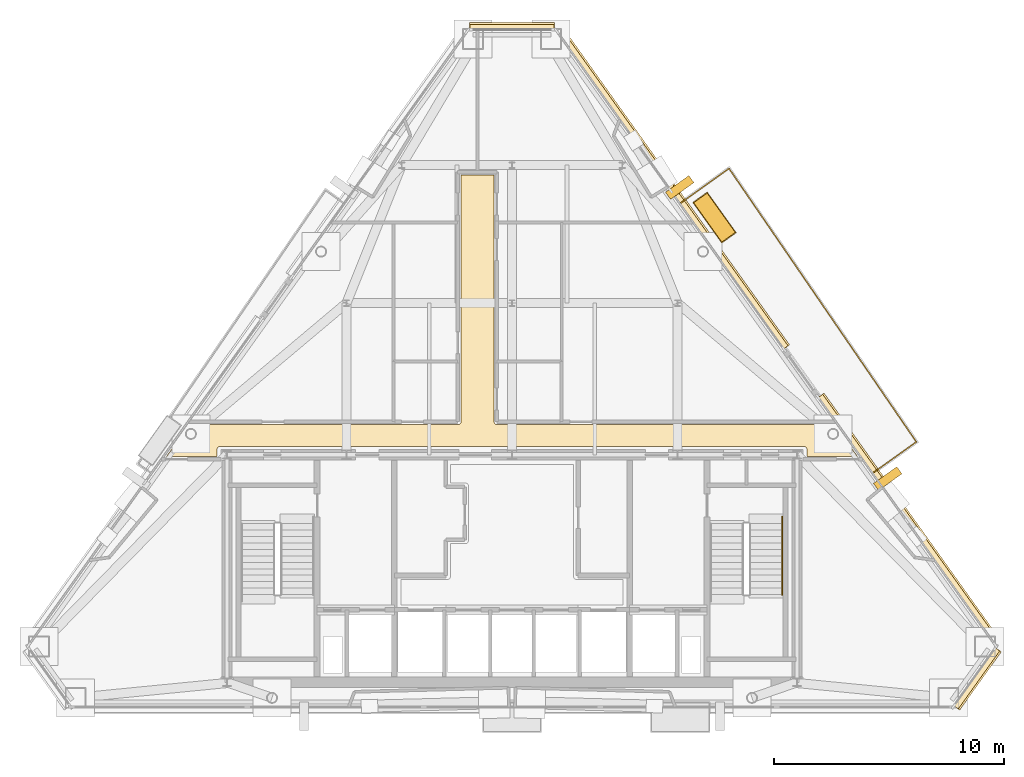
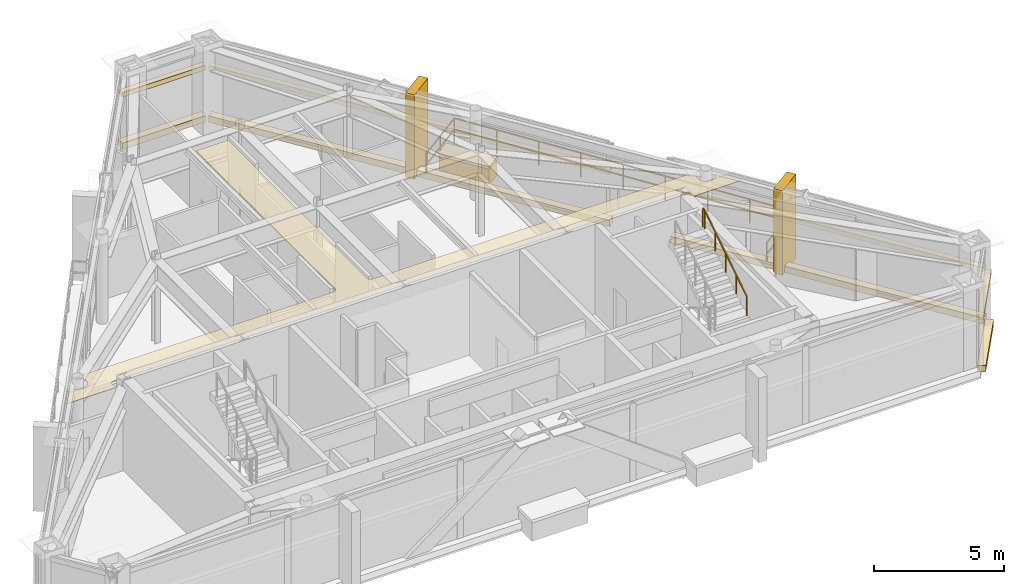
# One storey, part 10 of 10: 13 coverings, 2 railings.
"""IFC4 building model written with IfcOpenShell, lengths in metres."""

from ifc_helpers import new_model, si_unit, direction, frame, origin, origin_2d, place, context, subcontext, project, spatial, polyline, rectangle, outline, extrude, material, layer, layer_set, type_object, element, save


model = new_model("IFC4")

# Units and contexts
model_context = context("Model", 3, precision=1e-05, world=origin(), true_north=direction((0.0, 1.0)))
body_context = subcontext(model_context, "Body", "Model", "MODEL_VIEW")
ifc_project = project(units=[si_unit("LENGTHUNIT", "METRE"), si_unit("AREAUNIT", "SQUARE_METRE"), si_unit("VOLUMEUNIT", "CUBIC_METRE"), si_unit("PLANEANGLEUNIT", "RADIAN"), si_unit("MASSUNIT", "GRAM", prefix="KILO")], contexts=[model_context])

# Site, building, storey
site_placement = place(None, origin())
site = spatial("IfcSite", under=ifc_project, at=site_placement, CompositionType="ELEMENT")
building_placement = place(site_placement, origin())
building = spatial("IfcBuilding", under=site, at=building_placement, Name="Talgorran Terracotta Tower", CompositionType="ELEMENT")
storey_placement = place(building_placement, frame((0.0, 0.0, 289.199951171875)))
storey = spatial("IfcBuildingStorey", under=building, at=storey_placement, Name="L76", CompositionType="ELEMENT", Elevation=289.199951171875)

# Coverings
ifc_material_1 = material(Name="Kiln-Fired Terracotta Ochre Ceramic", Category="masonry")
ifc_layer_1 = layer(ifc_material_1, 0.179931640625, Name="COV_BAGUETTE_TERRACOTTA_SCREEN")
ifc_layer_set_1 = layer_set([ifc_layer_1], Name="Kiln-Fired Terracotta Ochre Ceramic")
covering_type_1 = type_object("IfcCoveringType", Name="COV_BAGUETTE_TERRACOTTA_SCREEN", PredefinedType="CLADDING", material=ifc_layer_set_1)
covering_1_placement = place(storey_placement, frame((20.2119140625, -13.916748046875, 2.41015625), z_axis=(0.0, 0.0, 1.0), x_axis=(0.581256971997, 0.813720057824, 0.0)))
element("IfcCovering", 1, at=covering_1_placement, inside=storey, type_object=covering_type_1, Name="L76 Terracotta Baguette Solar Screen Assembly F2", PredefinedType="CLADDING", context=body_context, shape_type="SweptSolid", body=[
    extrude(rectangle(XDim=3.093994140625, YDim=0.260009765625, at=origin_2d()), origin(), (0.0, 0.0, 1.0), 0.219970703125),
])
covering_2_placement = place(storey_placement, frame((17.24951171875, -7.02197265625, 2.41015625), z_axis=(0.0, 0.0, 1.0), x_axis=(-0.581242769814, 0.813730202548, 0.0)))
element("IfcCovering", 2, at=covering_2_placement, inside=storey, type_object=covering_type_1, Name="L76 Terracotta Baguette Solar Screen Assembly F40", PredefinedType="CLADDING", context=body_context, shape_type="SweptSolid", body=[
    extrude(rectangle(XDim=13.206298828125, YDim=0.260009765625, at=origin_2d()), origin(), (0.0, 0.0, 1.0), 0.219970703125),
])
covering_3_placement = place(storey_placement, frame((6.974609375, 7.362548828125, 2.41015625), z_axis=(0.0, 0.0, 1.0), x_axis=(-0.581242769814, 0.813730202548, 0.0)))
element("IfcCovering", 3, at=covering_3_placement, inside=storey, type_object=covering_type_1, Name="L76 Terracotta Baguette Solar Screen Assembly F41", PredefinedType="CLADDING", context=body_context, shape_type="SweptSolid", body=[
    extrude(rectangle(XDim=16.948486328125, YDim=0.260009765625, at=origin_2d()), origin(), (0.0, 0.0, 1.0), 0.219970703125),
])
covering_4_placement = place(storey_placement, frame((0.0, 14.389404296875, 2.41015625), z_axis=(0.0, 0.0, 1.0), x_axis=(-1.0, 0.0, 0.0)))
element("IfcCovering", 4, at=covering_4_placement, inside=storey, type_object=covering_type_1, Name="L76 Terracotta Baguette Solar Screen Assembly F4", PredefinedType="CLADDING", context=body_context, shape_type="SweptSolid", body=[
    extrude(rectangle(XDim=3.66748046875, YDim=0.260009765625, at=origin_2d()), origin(), (0.0, 0.0, 1.0), 0.219970703125),
])
ifc_material_2 = material(Name="Mineral Fibre Acoustic Tile")
ifc_layer_2 = layer(ifc_material_2, 0.02490234375, Name="COV_CEIL_ACOUSTIC")
ifc_layer_set_2 = layer_set([ifc_layer_2], Name="Mineral Fibre Acoustic Tile")
covering_type_2 = type_object("IfcCoveringType", Name="COV_CEIL_ACOUSTIC", PredefinedType="CEILING", material=ifc_layer_set_2)
covering_5_placement = place(storey_placement, frame((0.0, 0.0, 3.830078125)))
element("IfcCovering", 5, at=covering_5_placement, inside=storey, type_object=covering_type_2, Name="CEIL-L76-2", PredefinedType="CEILING", context=body_context, shape_type="SweptSolid", body=[
    extrude(outline(polyline([(-15.0283203125, -4.264892578125), (-14.383544921875, -3.362060546875), (-14.32958984375, -3.400390625), (-14.326904296875, -3.413818359375), (-14.32421875, -3.42529296875), (-14.3203125, -3.436279296875), (-14.315185546875, -3.447021484375), (-14.30908203125, -3.45703125), (-14.253173828125, -3.541015625), (-14.24609375, -3.55029296875), (-14.23828125, -3.55908203125), (-14.2294921875, -3.567138671875), (-14.219970703125, -3.57421875), (-14.135986328125, -3.630126953125), (-14.1259765625, -3.635986328125), (-14.115234375, -3.64111328125), (-14.104248046875, -3.64501953125), (-14.0927734375, -3.64794921875), (-13.993896484375, -3.667724609375), (-13.982421875, -3.66943359375), (-13.970458984375, -3.669921875), (-13.958740234375, -3.66943359375), (-13.947021484375, -3.667724609375), (-13.84814453125, -3.64794921875), (-13.8369140625, -3.64501953125), (-13.82568359375, -3.64111328125), (-13.815185546875, -3.635986328125), (-13.804931640625, -3.630126953125), (-13.72119140625, -3.57421875), (-13.711669921875, -3.567138671875), (-13.702880859375, -3.55908203125), (-13.69482421875, -3.55029296875), (-13.68798828125, -3.541015625), (-13.6318359375, -3.45703125), (-13.6259765625, -3.447021484375), (-13.620849609375, -3.436279296875), (-13.616943359375, -3.42529296875), (-13.614013671875, -3.413818359375), (-13.59423828125, -3.31494140625), (-13.592529296875, -3.30322265625), (-13.592041015625, -3.29150390625), (-13.592529296875, -3.27978515625), (-13.59423828125, -3.26806640625), (-13.614013671875, -3.169189453125), (-13.616943359375, -3.15771484375), (-13.620849609375, -3.146728515625), (-13.621337890625, -3.1455078125), (-13.62060546875, -3.13671875), (-13.620849609375, -3.125), (-13.622314453125, -3.11328125), (-13.624755859375, -3.101806640625), (-13.62841796875, -3.090576171875), (-13.633056640625, -3.079833984375), (-13.638916015625, -3.069580078125), (-13.6455078125, -3.059814453125), (-13.6533203125, -3.05078125), (-13.66162109375, -3.042724609375), (-13.6708984375, -3.035400390625), (-13.881591796875, -2.885009765625), (-2.34716796875, -2.884765625), (-2.33544921875, -2.884033203125), (-2.32373046875, -2.88232421875), (-2.3125, -2.879638671875), (-2.30126953125, -2.87548828125), (-2.290771484375, -2.87060546875), (-2.282958984375, -2.866455078125), (-2.272705078125, -2.8603515625), (-2.26318359375, -2.853515625), (-2.25439453125, -2.845458984375), (-2.24658203125, -2.836669921875), (-2.239501953125, -2.8271484375), (-2.2333984375, -2.81689453125), (-2.2294921875, -2.809326171875), (-2.224365234375, -2.798583984375), (-2.220458984375, -2.78759765625), (-2.217529296875, -2.776123046875), (-2.2158203125, -2.7646484375), (-2.21533203125, -2.7529296875), (-2.215087890625, 7.965087890625), (-0.784912109375, 7.965087890625), (-0.784912109375, -2.75), (-0.784423828125, -2.76171875), (-0.78271484375, -2.773193359375), (-0.77978515625, -2.78466796875), (-0.77734375, -2.79296875), (-0.7734375, -2.803955078125), (-0.768310546875, -2.814697265625), (-0.762451171875, -2.82470703125), (-0.75537109375, -2.834228515625), (-0.74755859375, -2.843017578125), (-0.73876953125, -2.850830078125), (-0.73193359375, -2.8564453125), (-0.722412109375, -2.863525390625), (-0.71240234375, -2.86962890625), (-0.70166015625, -2.874755859375), (-0.690673828125, -2.878662109375), (-0.67919921875, -2.881591796875), (-0.66748046875, -2.88330078125), (-0.65576171875, -2.8837890625), (13.881591796875, -2.885009765625), (13.6708984375, -3.035400390625), (13.66162109375, -3.042724609375), (13.6533203125, -3.05078125), (13.6455078125, -3.059814453125), (13.638916015625, -3.069580078125), (13.633056640625, -3.079833984375), (13.62841796875, -3.090576171875), (13.624755859375, -3.101806640625), (13.622314453125, -3.11328125), (13.620849609375, -3.125), (13.62060546875, -3.13671875), (13.621337890625, -3.1455078125), (13.620849609375, -3.146728515625), (13.616943359375, -3.15771484375), (13.614013671875, -3.169189453125), (13.59423828125, -3.26806640625), (13.592529296875, -3.27978515625), (13.592041015625, -3.29150390625), (13.592529296875, -3.30322265625), (13.59423828125, -3.31494140625), (13.614013671875, -3.413818359375), (13.616943359375, -3.42529296875), (13.620849609375, -3.436279296875), (13.6259765625, -3.447021484375), (13.6318359375, -3.45703125), (13.68798828125, -3.541015625), (13.69482421875, -3.55029296875), (13.702880859375, -3.55908203125), (13.711669921875, -3.567138671875), (13.72119140625, -3.57421875), (13.804931640625, -3.630126953125), (13.815185546875, -3.635986328125), (13.82568359375, -3.64111328125), (13.8369140625, -3.64501953125), (13.84814453125, -3.64794921875), (13.947021484375, -3.667724609375), (13.958740234375, -3.66943359375), (13.970458984375, -3.669921875), (13.982421875, -3.66943359375), (13.993896484375, -3.667724609375), (14.0927734375, -3.64794921875), (14.104248046875, -3.64501953125), (14.115234375, -3.64111328125), (14.1259765625, -3.635986328125), (14.135986328125, -3.630126953125), (14.219970703125, -3.57421875), (14.2294921875, -3.567138671875), (14.23828125, -3.55908203125), (14.24609375, -3.55029296875), (14.253173828125, -3.541015625), (14.30908203125, -3.45703125), (14.315185546875, -3.447021484375), (14.3203125, -3.436279296875), (14.32421875, -3.42529296875), (14.326904296875, -3.413818359375), (14.32958984375, -3.400390625), (14.383544921875, -3.362060546875), (15.0283203125, -4.264892578125), (12.8349609375, -4.264892578125), (12.8349609375, -3.97998046875), (12.83447265625, -3.96826171875), (12.832763671875, -3.956787109375), (12.829833984375, -3.9453125), (12.827392578125, -3.93701171875), (12.823486328125, -3.926025390625), (12.818359375, -3.915283203125), (12.8125, -3.9052734375), (12.805419921875, -3.895751953125), (12.797607421875, -3.886962890625), (12.788818359375, -3.879150390625), (12.781982421875, -3.87353515625), (12.7724609375, -3.866455078125), (12.762451171875, -3.8603515625), (12.751708984375, -3.855224609375), (12.740478515625, -3.851318359375), (12.729248046875, -3.848388671875), (12.717529296875, -3.8466796875), (12.705810546875, -3.84619140625), (7.432861328125, -3.844970703125), (6.968017578125, -3.843017578125), (6.967529296875, -3.843017578125), (0.232666015625, -3.844970703125), (-0.23193359375, -3.843017578125), (-0.232421875, -3.843017578125), (-6.96728515625, -3.844970703125), (-7.431884765625, -3.843017578125), (-7.4326171875, -3.843017578125), (-12.699951171875, -3.844970703125), (-12.711669921875, -3.845703125), (-12.723388671875, -3.847412109375), (-12.734619140625, -3.85009765625), (-12.742919921875, -3.8525390625), (-12.75390625, -3.8564453125), (-12.7646484375, -3.861572265625), (-12.77490234375, -3.86767578125), (-12.7841796875, -3.87451171875), (-12.79296875, -3.882568359375), (-12.80078125, -3.89111328125), (-12.806396484375, -3.89794921875), (-12.813720703125, -3.907470703125), (-12.819580078125, -3.91748046875), (-12.82470703125, -3.927978515625), (-12.82861328125, -3.939208984375), (-12.83154296875, -3.95068359375), (-12.833251953125, -3.962158203125), (-12.833984375, -3.97412109375), (-12.834716796875, -4.264892578125), (-15.0283203125, -4.264892578125)])), origin(), (0.0, 0.0, 1.0), 0.02001953125),
])
ifc_material_3 = material(Name="Honed Limestone and Terracotta Planter", Category="masonry")
ifc_layer_3 = layer(ifc_material_3, 0.1201171875, Name="COV_PLANTER_BOX")
ifc_layer_set_3 = layer_set([ifc_layer_3], Name="Honed Limestone and Terracotta Planter")
covering_type_3 = type_object("IfcCoveringType", Name="COV_PLANTER_BOX", PredefinedType="CLADDING", material=ifc_layer_set_3)
covering_6_placement = place(storey_placement, frame((8.80908203125, 6.118896484375, -0.02001953125), z_axis=(0.0, 0.0, 1.0), x_axis=(-0.581256971997, 0.813720057824, 0.0)))
element("IfcCovering", 6, at=covering_6_placement, inside=storey, type_object=covering_type_3, Name="L76 Staggered Balcony Planter Box BAL-NE", PredefinedType="CLADDING", context=body_context, shape_type="SweptSolid", body=[
    extrude(rectangle(XDim=2.10009765625, YDim=0.719970703125, at=origin_2d()), origin(), (0.0, 0.0, 1.0), 0.860107421875),
])
ifc_material_4 = material(Name="Kiln-Fired Terracotta Planter Rim", Category="masonry")
ifc_layer_4 = layer(ifc_material_4, 0.10009765625, Name="COV_PLANTER_RIM")
ifc_layer_set_4 = layer_set([ifc_layer_4], Name="Kiln-Fired Terracotta Planter Rim")
covering_type_4 = type_object("IfcCoveringType", Name="COV_PLANTER_RIM", PredefinedType="CLADDING", material=ifc_layer_set_4)
covering_7_placement = place(storey_placement, frame((8.80908203125, 6.118896484375, 0.800048828125), z_axis=(0.0, 0.0, 1.0), x_axis=(-0.581256971997, 0.813720057824, 0.0)))
element("IfcCovering", 7, at=covering_7_placement, inside=storey, type_object=covering_type_4, Name="L76 Balcony Planter Terracotta Rim BAL-NE", PredefinedType="CLADDING", context=body_context, shape_type="SweptSolid", body=[
    extrude(rectangle(XDim=2.179931640625, YDim=0.780029296875, at=origin_2d()), origin(), (0.0, 0.0, 1.0), 0.1201171875),
])
ifc_material_5 = material(Name="Honed Limestone Cladding", Category="masonry")
ifc_layer_5 = layer(ifc_material_5, 0.094970703125, Name="COV_PORTAL_LIME")
ifc_layer_set_5 = layer_set([ifc_layer_5], Name="Honed Limestone Cladding")
covering_type_5 = type_object("IfcCoveringType", Name="COV_PORTAL_LIME", PredefinedType="CLADDING", material=ifc_layer_set_5)
covering_8_placement = place(storey_placement, frame((20.244384765625, -13.93994140625, -0.0400390625), z_axis=(0.0, 0.0, 1.0), x_axis=(0.581256971997, 0.813720057824, 0.0)))
element("IfcCovering", 8, at=covering_8_placement, inside=storey, type_object=covering_type_5, Name="L76 Striped Postmodern Portal Cladding Band F2", PredefinedType="CLADDING", context=body_context, shape_type="SweptSolid", body=[
    extrude(rectangle(XDim=3.114013671875, YDim=0.340087890625, at=origin_2d()), origin(), (0.0, 0.0, 1.0), 0.300048828125),
])
covering_9_placement = place(storey_placement, frame((17.2822265625, -6.998779296875, -0.0400390625), z_axis=(0.0, 0.0, 1.0), x_axis=(-0.581242769814, 0.813730202548, 0.0)))
element("IfcCovering", 9, at=covering_9_placement, inside=storey, type_object=covering_type_5, Name="L76 Striped Postmodern Portal Cladding Band F40", PredefinedType="CLADDING", context=body_context, shape_type="SweptSolid", body=[
    extrude(rectangle(XDim=13.226318359375, YDim=0.340087890625, at=origin_2d()), origin(), (0.0, 0.0, 1.0), 0.300048828125),
])
covering_10_placement = place(storey_placement, frame((7.007080078125, 7.3857421875, -0.0400390625), z_axis=(0.0, 0.0, 1.0), x_axis=(-0.581242769814, 0.813730202548, 0.0)))
element("IfcCovering", 10, at=covering_10_placement, inside=storey, type_object=covering_type_5, Name="L76 Striped Postmodern Portal Cladding Band F41", PredefinedType="CLADDING", context=body_context, shape_type="SweptSolid", body=[
    extrude(rectangle(XDim=16.968505859375, YDim=0.340087890625, at=origin_2d()), origin(), (0.0, 0.0, 1.0), 0.300048828125),
])
covering_11_placement = place(storey_placement, frame((0.0, 14.429443359375, -0.0400390625), z_axis=(0.0, 0.0, 1.0), x_axis=(-1.0, 0.0, 0.0)))
element("IfcCovering", 11, at=covering_11_placement, inside=storey, type_object=covering_type_5, Name="L76 Striped Postmodern Portal Cladding Band F4", PredefinedType="CLADDING", context=body_context, shape_type="SweptSolid", body=[
    extrude(rectangle(XDim=3.6875, YDim=0.340087890625, at=origin_2d()), origin(), (0.0, 0.0, 1.0), 0.300048828125),
])
covering_12_placement = place(storey_placement, frame((7.295166015625, 7.429931640625, -0.0498046875), z_axis=(0.0, 0.0, 1.0), x_axis=(-0.581256971997, 0.813720057824, 0.0)))
element("IfcCovering", 12, at=covering_12_placement, inside=storey, type_object=covering_type_5, Name="L76 White Striped Portal Fin F3-2", PredefinedType="CLADDING", context=body_context, shape_type="SweptSolid", body=[
    extrude(rectangle(XDim=0.3798828125, YDim=1.25, at=origin_2d()), origin(), (0.0, 0.0, 1.0), 3.969970703125),
])
ifc_material_6 = material(Name="Kiln-Fired Terracotta Cladding", Category="masonry")
ifc_layer_6 = layer(ifc_material_6, 0.090087890625, Name="COV_PORTAL_TERRA")
ifc_layer_set_6 = layer_set([ifc_layer_6], Name="Kiln-Fired Terracotta Cladding")
covering_type_6 = type_object("IfcCoveringType", Name="COV_PORTAL_TERRA", PredefinedType="CLADDING", material=ifc_layer_set_6)
covering_13_placement = place(storey_placement, frame((16.34375, -5.23779296875, -0.0498046875), z_axis=(0.0, 0.0, 1.0), x_axis=(-0.581256971997, 0.813720057824, 0.0)))
element("IfcCovering", 13, at=covering_13_placement, inside=storey, type_object=covering_type_6, Name="L76 Terracotta Striped Portal Fin F3-1", PredefinedType="CLADDING", context=body_context, shape_type="SweptSolid", body=[
    extrude(rectangle(XDim=0.3798828125, YDim=1.25, at=origin_2d()), origin(), (0.0, 0.0, 1.0), 3.969970703125),
])

# Railings
ifc_material_7 = material(Name="Laminated Glass and Stainless Steel 316", Category="steel")
railing_type_1 = type_object("IfcRailingType", Name="RL_BALCONY_1150", PredefinedType="BALUSTRADE", material=ifc_material_7)
railing_1_placement = place(storey_placement, frame((15.69921875, -4.9892578125, 0.0)))
element("IfcRailing", 14, at=railing_1_placement, inside=storey, type_object=railing_type_1, Name="RL-L76-BAL-BAL-NE", PredefinedType="BALUSTRADE", context=body_context, shape_type="SweptSolid", body=[
    extrude(rectangle(XDim=0.048095703125, YDim=0.048095703125, at=origin_2d()), frame((0.0, 0.0, 1.1259765625), z_axis=(0.813747676609, 0.581218305642, 0.0), x_axis=(-0.581218305642, 0.813747676609, 0.0)), (0.0, 0.0, 1.0), 2.322509765625),
    extrude(rectangle(XDim=0.048095703125, YDim=0.048095703125, at=origin_2d()), frame((0.0, 0.0, 0.597900390625), z_axis=(0.813747676609, 0.581218305642, 0.0), x_axis=(-0.581218305642, 0.813747676609, 0.0)), (0.0, 0.0, 1.0), 2.322509765625),
    extrude(rectangle(XDim=0.048095703125, YDim=0.048095703125, at=origin_2d()), frame((1.889892578125, 1.349853515625, 1.1259765625), z_axis=(-0.565176165359, 0.824970243167, 0.0), x_axis=(-0.824970243167, -0.565176165359, 0.0)), (0.0, 0.0, 1.0), 14.416748046875),
    extrude(rectangle(XDim=0.048095703125, YDim=0.048095703125, at=origin_2d()), frame((1.889892578125, 1.349853515625, 0.597900390625), z_axis=(-0.565176165359, 0.824970243167, 0.0), x_axis=(-0.824970243167, -0.565176165359, 0.0)), (0.0, 0.0, 1.0), 14.416748046875),
    extrude(rectangle(XDim=0.048095703125, YDim=0.048095703125, at=origin_2d()), frame((-6.258056640625, 13.2431640625, 1.1259765625), z_axis=(-0.813695478389, -0.581291379989, 0.0), x_axis=(0.581291379989, -0.813695478389, 0.0)), (0.0, 0.0, 1.0), 2.605224609375),
    extrude(rectangle(XDim=0.048095703125, YDim=0.048095703125, at=origin_2d()), frame((-6.258056640625, 13.2431640625, 0.597900390625), z_axis=(-0.813695478389, -0.581291379989, 0.0), x_axis=(0.581291379989, -0.813695478389, 0.0)), (0.0, 0.0, 1.0), 2.605224609375),
    extrude(rectangle(XDim=0.0419921875, YDim=0.0419921875, at=origin_2d()), origin(), (0.0, 0.0, 1.0), 1.101806640625),
    extrude(rectangle(XDim=0.0419921875, YDim=0.0419921875, at=origin_2d()), frame((0.94482421875, 0.6748046875, 0.0)), (0.0, 0.0, 1.0), 1.101806640625),
    extrude(rectangle(XDim=0.0419921875, YDim=0.0419921875, at=origin_2d()), frame((1.889892578125, 1.349853515625, 0.0)), (0.0, 0.0, 1.0), 1.101806640625),
    extrude(rectangle(XDim=0.0419921875, YDim=0.0419921875, at=origin_2d()), frame((0.871337890625, 2.83642578125, 0.0)), (0.0, 0.0, 1.0), 1.101806640625),
    extrude(rectangle(XDim=0.0419921875, YDim=0.0419921875, at=origin_2d()), frame((-0.14697265625, 4.3232421875, 0.0)), (0.0, 0.0, 1.0), 1.101806640625),
    extrude(rectangle(XDim=0.0419921875, YDim=0.0419921875, at=origin_2d()), frame((-1.16552734375, 5.809814453125, 0.0)), (0.0, 0.0, 1.0), 1.101806640625),
    extrude(rectangle(XDim=0.0419921875, YDim=0.0419921875, at=origin_2d()), frame((-2.18408203125, 7.29638671875, 0.0)), (0.0, 0.0, 1.0), 1.101806640625),
    extrude(rectangle(XDim=0.0419921875, YDim=0.0419921875, at=origin_2d()), frame((-3.20263671875, 8.783203125, 0.0)), (0.0, 0.0, 1.0), 1.101806640625),
    extrude(rectangle(XDim=0.0419921875, YDim=0.0419921875, at=origin_2d()), frame((-4.22119140625, 10.269775390625, 0.0)), (0.0, 0.0, 1.0), 1.101806640625),
    extrude(rectangle(XDim=0.0419921875, YDim=0.0419921875, at=origin_2d()), frame((-5.239501953125, 11.756591796875, 0.0)), (0.0, 0.0, 1.0), 1.101806640625),
    extrude(rectangle(XDim=0.0419921875, YDim=0.0419921875, at=origin_2d()), frame((-6.258056640625, 13.2431640625, 0.0)), (0.0, 0.0, 1.0), 1.101806640625),
    extrude(rectangle(XDim=0.0419921875, YDim=0.0419921875, at=origin_2d()), frame((-7.31787109375, 12.48583984375, 0.0)), (0.0, 0.0, 1.0), 1.101806640625),
    extrude(rectangle(XDim=0.0419921875, YDim=0.0419921875, at=origin_2d()), frame((-8.3779296875, 11.728759765625, 0.0)), (0.0, 0.0, 1.0), 1.101806640625),
])
ifc_material_8 = material(Name="Steel S355 (300PLUS)", Category="steel")
railing_type_2 = type_object("IfcRailingType", Name="RL_HANDRAIL_920", PredefinedType="HANDRAIL", material=ifc_material_8)
railing_2_placement = place(storey_placement, frame((11.75, -10.280029296875, 2.275146484375)))
element("IfcRailing", 15, at=railing_2_placement, inside=storey, type_object=railing_type_2, Name="L76 ST-02 stair handrail 2", PredefinedType="HANDRAIL", context=body_context, shape_type="SweptSolid", body=[
    extrude(rectangle(XDim=0.048095703125, YDim=0.048095703125, at=origin_2d()), frame((0.0, 0.0, 0.89599609375), z_axis=(0.0, 0.840693329249, 0.541511519874), x_axis=(-1.0, 0.0, 0.0)), (0.0, 0.0, 1.0), 3.877685546875),
    extrude(rectangle(XDim=0.048095703125, YDim=0.048095703125, at=origin_2d()), frame((0.0, 3.260009765625, 2.99560546875), z_axis=(0.0, 1.0, 0.0), x_axis=(-1.0, 0.0, 0.0)), (0.0, 0.0, 1.0), 0.1201171875),
    extrude(rectangle(XDim=0.0419921875, YDim=0.0419921875, at=origin_2d()), origin(), (0.0, 0.0, 1.0), 0.871826171875),
    extrude(rectangle(XDim=0.0419921875, YDim=0.0419921875, at=origin_2d()), frame((0.0, 0.81494140625, 0.52490234375)), (0.0, 0.0, 1.0), 0.871826171875),
    extrude(rectangle(XDim=0.0419921875, YDim=0.0419921875, at=origin_2d()), frame((0.0, 1.6298828125, 1.0498046875)), (0.0, 0.0, 1.0), 0.871826171875),
    extrude(rectangle(XDim=0.0419921875, YDim=0.0419921875, at=origin_2d()), frame((0.0, 2.445068359375, 1.574951171875)), (0.0, 0.0, 1.0), 0.871826171875),
    extrude(rectangle(XDim=0.0419921875, YDim=0.0419921875, at=origin_2d()), frame((0.0, 3.260009765625, 2.099853515625)), (0.0, 0.0, 1.0), 0.871826171875),
    extrude(rectangle(XDim=0.0419921875, YDim=0.0419921875, at=origin_2d()), frame((0.0, 3.380126953125, 2.099853515625)), (0.0, 0.0, 1.0), 0.871826171875),
])

save(model, "model.ifc")
